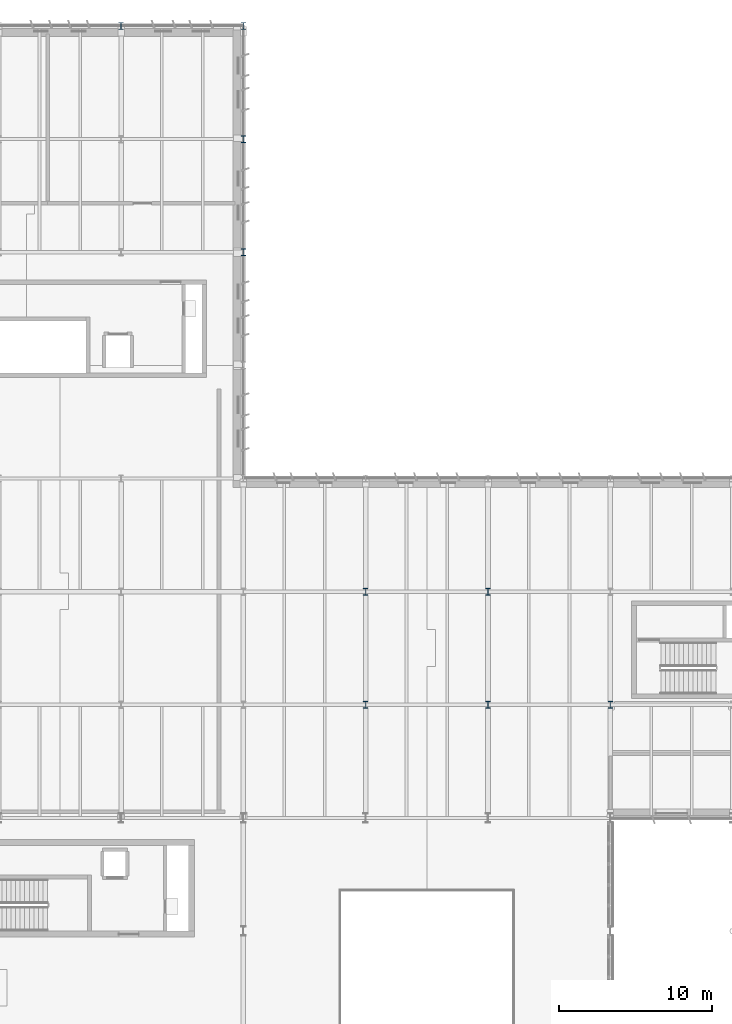
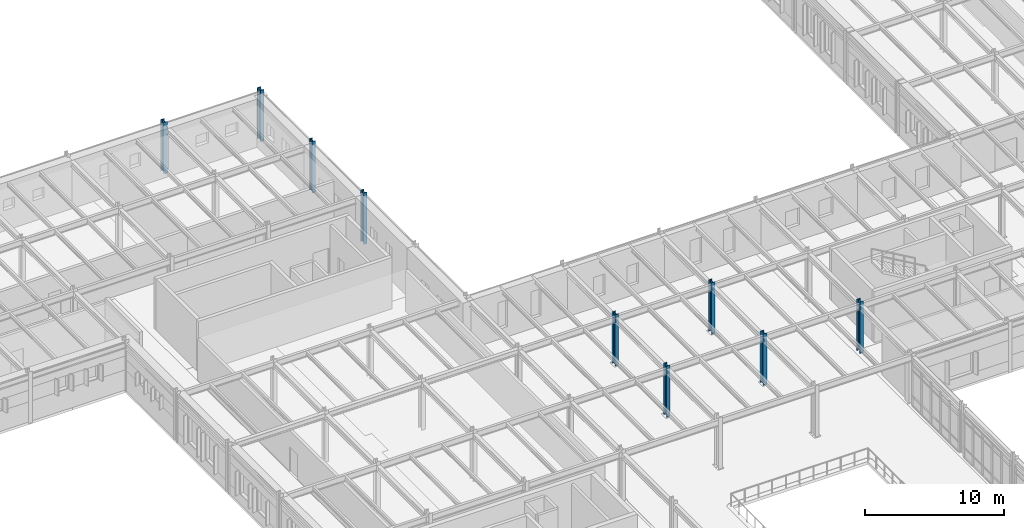
# One storey, part 10 of 75: 9 columns.
"""IFC4 building model written with IfcOpenShell, lengths in metres."""

from ifc_helpers import new_model, si_unit, direction, frame, origin, origin_2d, place, context, subcontext, project, spatial, i_section, extrude, material, material_profile, profile_set, type_object, element, save


model = new_model("IFC4")

# Units and contexts
model_context = context("Model", 3, precision=1e-05, world=origin(), true_north=direction((0.0, 1.0)))
body_context = subcontext(model_context, "Body", "Model", "MODEL_VIEW")
ifc_project = project(units=[si_unit("LENGTHUNIT", "METRE"), si_unit("AREAUNIT", "SQUARE_METRE"), si_unit("VOLUMEUNIT", "CUBIC_METRE"), si_unit("PLANEANGLEUNIT", "RADIAN"), si_unit("MASSUNIT", "GRAM", prefix="KILO")], contexts=[model_context])

# Site, building, storey
site_placement = place(None, origin())
site = spatial("IfcSite", under=ifc_project, at=site_placement, CompositionType="ELEMENT")
building_placement = place(site_placement, origin())
building = spatial("IfcBuilding", under=site, at=building_placement, Name="Valkorina Park Police Headquarters", CompositionType="ELEMENT")
storey_placement = place(building_placement, frame((0.0, 0.0, 5.39990234375)))
storey = spatial("IfcBuildingStorey", under=building, at=storey_placement, Name="L02", CompositionType="ELEMENT", Elevation=5.39990234375)

# Columns
ifc_material = material(Name="Steel S355", Category="steel")
ifc_material_profile_1 = material_profile(ifc_material, i_section(OverallWidth=0.300048828125, OverallDepth=0.449951171875, WebThickness=0.013916015625, FlangeThickness=0.02587890625, FilletRadius=0.027099609375, at=origin_2d()), Name="HEB 450")
ifc_profile_set_1 = profile_set([ifc_material_profile_1], Name="Steel S355")
column_type_1 = type_object("IfcColumnType", Name="COL-S355-HEB450-EXT", PredefinedType="COLUMN", material=ifc_profile_set_1)
for number, where, z_axis, x_axis, name in (
    (1, (48.800048828125, 111.0, 0.0), (0.0, 0.0, 1.0), (1.0, 0.0, 0.0), "L02 Column 0579"),
    (2, (56.800048828125, 96.199951171875, 0.0), (0.0, 0.0, 1.0), (1.0, 0.0, 0.0), "L02 Column 0591"),
    (3, (56.800048828125, 103.60009765625, 0.0), (0.0, 0.0, 1.0), (1.0, 0.0, 0.0), "L02 Column 0592"),
    (4, (56.800048828125, 111.0, 0.0), (0.0, 0.0, 1.0), (1.0, 0.0, 0.0), "L02 Column 0593"),
):
    element("IfcColumn", number, at=place(storey_placement, frame(where, z_axis=z_axis, x_axis=x_axis)), inside=storey, type_object=column_type_1, Name=name, PredefinedType="COLUMN", context=body_context, shape_type="SweptSolid", body=[
        extrude(i_section(OverallWidth=0.300048828125, OverallDepth=0.449951171875, WebThickness=0.013916015625, FlangeThickness=0.02587890625, FilletRadius=0.027099609375, at=origin_2d()), origin(), (0.0, 0.0, 1.0), 4.5),
    ])
ifc_material_profile_2 = material_profile(ifc_material, i_section(OverallWidth=0.300048828125, OverallDepth=0.449951171875, WebThickness=0.013916015625, FlangeThickness=0.02587890625, FilletRadius=0.027099609375, at=origin_2d()), Name="HEB 450")
ifc_profile_set_2 = profile_set([ifc_material_profile_2], Name="Steel S355")
column_type_2 = type_object("IfcColumnType", Name="COL-S355-HEB450-INT", PredefinedType="COLUMN", material=ifc_profile_set_2)
for number, where, z_axis, x_axis, name in (
    (5, (64.800048828125, 66.60009765625, 0.0), (0.0, 0.0, 1.0), (1.0, 0.0, 0.0), "L02 Column 0601"),
    (6, (64.800048828125, 74.0, 0.0), (0.0, 0.0, 1.0), (1.0, 0.0, 0.0), "L02 Column 0602"),
    (7, (72.800048828125, 66.60009765625, 0.0), (0.0, 0.0, 1.0), (1.0, 0.0, 0.0), "L02 Column 0608"),
    (8, (72.800048828125, 74.0, 0.0), (0.0, 0.0, 1.0), (1.0, 0.0, 0.0), "L02 Column 0609"),
    (9, (80.800048828125, 66.60009765625, 0.0), (0.0, 0.0, 1.0), (1.0, 0.0, 0.0), "L02 Column 0617"),
):
    element("IfcColumn", number, at=place(storey_placement, frame(where, z_axis=z_axis, x_axis=x_axis)), inside=storey, type_object=column_type_2, Name=name, PredefinedType="COLUMN", context=body_context, shape_type="SweptSolid", body=[
        extrude(i_section(OverallWidth=0.300048828125, OverallDepth=0.449951171875, WebThickness=0.013916015625, FlangeThickness=0.02587890625, FilletRadius=0.027099609375, at=origin_2d()), origin(), (0.0, 0.0, 1.0), 4.5),
    ])

save(model, "model.ifc")
